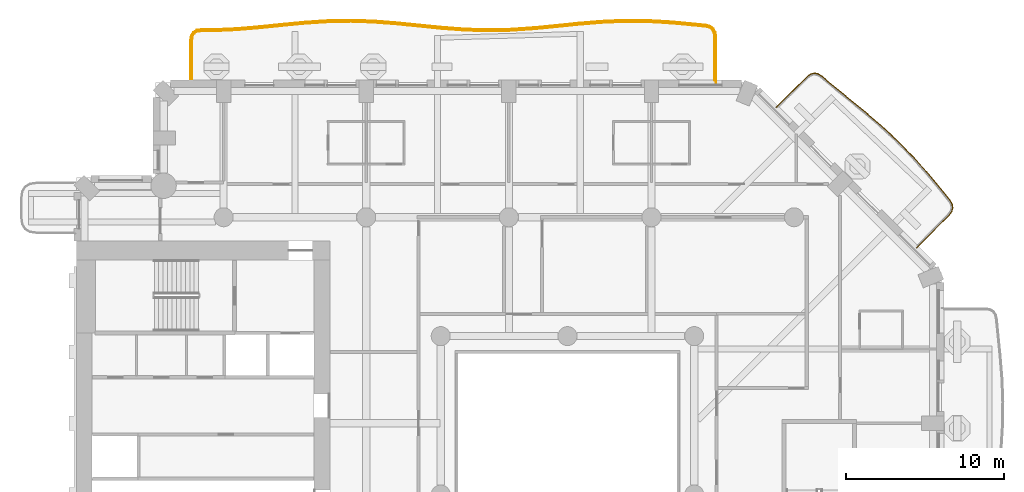
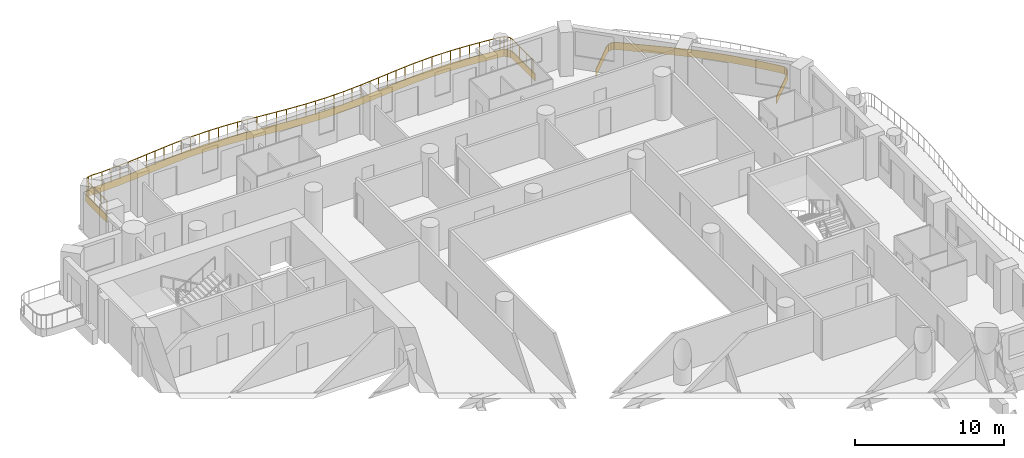
# One storey, part 17 of 19: 2 coverings, 1 railing.
"""IFC4 building model written with IfcOpenShell, lengths in metres."""

from ifc_helpers import new_model, si_unit, direction, frame, origin, origin_2d, place, context, subcontext, project, spatial, polyline, rectangle, outline, extrude, material, layer, layer_set, type_object, element, save


model = new_model("IFC4")

# Units and contexts
model_context = context("Model", 3, precision=1e-05, world=origin(), true_north=direction((0.0, 1.0)))
body_context = subcontext(model_context, "Body", "Model", "MODEL_VIEW")
ifc_project = project(units=[si_unit("LENGTHUNIT", "METRE"), si_unit("AREAUNIT", "SQUARE_METRE"), si_unit("VOLUMEUNIT", "CUBIC_METRE"), si_unit("PLANEANGLEUNIT", "RADIAN"), si_unit("MASSUNIT", "GRAM", prefix="KILO")], contexts=[model_context])

# Site, building, storey
site_placement = place(None, origin())
site = spatial("IfcSite", under=ifc_project, at=site_placement, CompositionType="ELEMENT")
building_placement = place(site_placement, origin())
building = spatial("IfcBuilding", under=site, at=building_placement, Name="Cypress Arch Tower", CompositionType="ELEMENT")
storey_placement = place(building_placement, frame((0.0, 0.0, 69.89990234375)))
storey = spatial("IfcBuildingStorey", under=building, at=storey_placement, Name="L11", CompositionType="ELEMENT", Elevation=69.89990234375)

# Coverings
ifc_material_1 = material(Name="White powder-coated aluminium fascia", Category="aluminium")
ifc_layer = layer(ifc_material_1, 0.050048828125)
ifc_layer_set = layer_set([ifc_layer], Name="Balcony fascia BF50")
covering_type = type_object("IfcCoveringType", Name="Balcony fascia BF50", PredefinedType="CLADDING", material=ifc_layer_set)
covering_1_placement = place(storey_placement, frame((0.0, 0.0, -0.599853515625)))
element("IfcCovering", 1, at=covering_1_placement, inside=storey, type_object=covering_type, Name="Balcony fascia L11-A07", PredefinedType="CLADDING", context=body_context, shape_type="SweptSolid", body=[
    extrude(outline(polyline([(16.0888671875, 26.377685546875), (16.322509765625, 26.5537109375), (16.5703125, 26.621337890625), (16.82275390625, 26.5732421875), (17.069580078125, 26.416259765625), (17.653076171875, 25.91796875), (18.7314453125, 25.03759765625), (19.81005859375, 24.155517578125), (20.86572265625, 23.24951171875), (21.881591796875, 22.302490234375), (22.848876953125, 21.306884765625), (23.7705078125, 20.266357421875), (24.66015625, 19.19482421875), (25.1455078125, 18.59716796875), (25.29736328125, 18.345458984375), (25.34130859375, 18.08984375), (25.271240234375, 17.840087890625), (25.09423828125, 17.60546875), (23.045166015625, 15.556396484375), (23.009765625, 15.591796875), (25.056396484375, 17.638427734375), (25.2255859375, 17.86279296875), (25.2900390625, 18.092529296875), (25.249755859375, 18.32763671875), (25.1044921875, 18.568359375), (24.62158203125, 19.1630859375), (23.732666015625, 20.233642578125), (22.81201171875, 21.272705078125), (21.846435546875, 22.266845703125), (20.83251953125, 23.212158203125), (19.77783203125, 24.1171875), (18.699951171875, 24.998779296875), (17.62109375, 25.87939453125), (17.039794921875, 26.3759765625), (16.803955078125, 26.52587890625), (16.572509765625, 26.570068359375), (16.344970703125, 26.5078125), (16.121826171875, 26.33984375), (14.191650390625, 24.40966796875), (14.15625, 24.445068359375), (16.0888671875, 26.377685546875)])), origin(), (0.0, 0.0, 1.0), 0.599853515625),
])
covering_2_placement = place(storey_placement, frame((0.0, 0.0, -0.599853515625)))
element("IfcCovering", 2, at=covering_2_placement, inside=storey, type_object=covering_type, Name="Balcony fascia L11-A08", PredefinedType="CLADDING", context=body_context, shape_type="SweptSolid", body=[
    extrude(outline(polyline([(-22.800048828125, 28.6689453125), (-22.757568359375, 28.9658203125), (-22.62451171875, 29.18701171875), (-22.402587890625, 29.319091796875), (-22.105712890625, 29.360107421875), (-21.31201171875, 29.3564453125), (-19.875, 29.422119140625), (-18.437255859375, 29.5439453125), (-16.99853515625, 29.692138671875), (-15.558349609375, 29.830078125), (-14.1171875, 29.92333984375), (-12.67578125, 29.94921875), (-11.234130859375, 29.90087890625), (-9.79345703125, 29.79052734375), (-8.353759765625, 29.6455078125), (-6.915283203125, 29.501708984375), (-5.477783203125, 29.39453125), (-4.041015625, 29.350341796875), (-2.604248046875, 29.380126953125), (-1.167236328125, 29.4765625), (0.271240234375, 29.615966796875), (1.710693359375, 29.763671875), (3.151123046875, 29.88330078125), (4.592529296875, 29.9453125), (6.0341796875, 29.934326171875), (7.475341796875, 29.852783203125), (8.915771484375, 29.72119140625), (9.7109375, 29.638916015625), (10.0068359375, 29.565673828125), (10.22607421875, 29.41064453125), (10.357666015625, 29.176513671875), (10.39990234375, 28.874755859375), (10.39990234375, 26.0009765625), (10.35009765625, 26.0009765625), (10.35009765625, 28.871337890625), (10.3095703125, 29.160400390625), (10.18798828125, 29.37646484375), (9.98583984375, 29.519287109375), (9.702392578125, 29.58935546875), (8.910888671875, 29.67138671875), (7.4716796875, 29.802978515625), (6.03271484375, 29.88427734375), (4.593505859375, 29.895263671875), (3.154296875, 29.83349609375), (1.71533203125, 29.7138671875), (0.276123046875, 29.566162109375), (-1.1630859375, 29.4267578125), (-2.602294921875, 29.330322265625), (-4.041259765625, 29.30029296875), (-5.48046875, 29.344482421875), (-6.919677734375, 29.45166015625), (-8.358642578125, 29.595703125), (-9.7978515625, 29.74072265625), (-11.237060546875, 29.850830078125), (-12.676025390625, 29.899169921875), (-14.115234375, 29.873291015625), (-15.554443359375, 29.7802734375), (-16.993408203125, 29.642333984375), (-18.4326171875, 29.494140625), (-19.871826171875, 29.3720703125), (-21.310791015625, 29.306396484375), (-22.102294921875, 29.31005859375), (-22.3857421875, 29.27099609375), (-22.588134765625, 29.150390625), (-22.70947265625, 28.94873046875), (-22.75, 28.66552734375), (-22.75, 26.0009765625), (-22.800048828125, 26.0009765625), (-22.800048828125, 28.6689453125)])), origin(), (0.0, 0.0, 1.0), 0.599853515625),
])

# Railing
ifc_material_2 = material(Name="Powder-coated steel posts and rods, 100 mm clear between rods", Category="steel")
railing_type = type_object("IfcRailingType", Name="Balcony guard GR1100", PredefinedType="GUARDRAIL", material=ifc_material_2)
railing_placement = place(storey_placement, frame((-22.699951171875, 26.14990234375, 0.0)))
element("IfcRailing", 3, at=railing_placement, inside=storey, type_object=railing_type, Name="Balcony guard L11-A08", PredefinedType="GUARDRAIL", context=body_context, shape_type="SweptSolid", body=[
    extrude(rectangle(XDim=0.050048828125, YDim=0.050048828125, at=origin_2d()), frame((0.0, 0.0, 1.0751953125), z_axis=(0.0, 1.0, 0.0), x_axis=(-1.0, 0.0, 0.0)), (0.0, 0.0, 1.0), 2.511962890625),
    extrude(rectangle(XDim=0.050048828125, YDim=0.050048828125, at=origin_2d()), frame((0.0, 2.511962890625, 1.0751953125), z_axis=(0.141546776296, 0.989931568403, 0.0), x_axis=(-0.989931568403, 0.141546776296, 0.0)), (0.0, 0.0, 1.0), 0.2724609375),
    extrude(rectangle(XDim=0.050048828125, YDim=0.050048828125, at=origin_2d()), frame((0.03857421875, 2.78173828125, 1.0751953125), z_axis=(0.515170521411, 0.857087704887, 0.0), x_axis=(-0.857087704887, 0.515170521411, 0.0)), (0.0, 0.0, 1.0), 0.212890625),
    extrude(rectangle(XDim=0.050048828125, YDim=0.050048828125, at=origin_2d()), frame((0.148193359375, 2.964111328125, 1.0751953125), z_axis=(0.859712995, 0.510777413585, 0.0), x_axis=(-0.510777413585, 0.859712995, 0.0)), (0.0, 0.0, 1.0), 0.212646484375),
    extrude(rectangle(XDim=0.050048828125, YDim=0.050048828125, at=origin_2d()), frame((0.3310546875, 3.07275390625, 1.0751953125), z_axis=(0.990549866766, 0.137153058475, 0.0), x_axis=(-0.137153058475, 0.990549866766, 0.0)), (0.0, 0.0, 1.0), 0.2724609375),
    extrude(rectangle(XDim=0.050048828125, YDim=0.050048828125, at=origin_2d()), frame((0.600830078125, 3.110107421875, 1.0751953125), z_axis=(0.999989236981, -0.004639603636, 0.0), x_axis=(0.004639603636, 0.999989236981, 0.0)), (0.0, 0.0, 1.0), 0.789306640625),
    extrude(rectangle(XDim=0.050048828125, YDim=0.050048828125, at=origin_2d()), frame((1.39013671875, 3.1064453125, 1.0751953125), z_axis=(0.998955942835, 0.0456839608, 0.0), x_axis=(-0.0456839608, 0.998955942835, 0.0)), (0.0, 0.0, 1.0), 1.44287109375),
    extrude(rectangle(XDim=0.050048828125, YDim=0.050048828125, at=origin_2d()), frame((2.83154296875, 3.17236328125, 1.0751953125), z_axis=(0.996428304897, 0.084443076686, 0.0), x_axis=(-0.084443076686, 0.996428304897, 0.0)), (0.0, 0.0, 1.0), 1.445556640625),
    extrude(rectangle(XDim=0.050048828125, YDim=0.050048828125, at=origin_2d()), frame((4.27197265625, 3.29443359375, 1.0751953125), z_axis=(0.994725087, 0.102576806801, 0.0), x_axis=(-0.102576806801, 0.994725087, 0.0)), (0.0, 0.0, 1.0), 1.447021484375),
    extrude(rectangle(XDim=0.050048828125, YDim=0.050048828125, at=origin_2d()), frame((5.71142578125, 3.44287109375, 1.0751953125), z_axis=(0.99546428092, 0.095136036353, 0.0), x_axis=(-0.095136036353, 0.99546428092, 0.0)), (0.0, 0.0, 1.0), 1.44482421875),
    extrude(rectangle(XDim=0.050048828125, YDim=0.050048828125, at=origin_2d()), frame((7.149658203125, 3.580322265625, 1.0751953125), z_axis=(0.997901350874, 0.064752559204, 0.0), x_axis=(-0.064752559204, 0.997901350874, 0.0)), (0.0, 0.0, 1.0), 1.440185546875),
    extrude(rectangle(XDim=0.050048828125, YDim=0.050048828125, at=origin_2d()), frame((8.5869140625, 3.673583984375, 1.0751953125), z_axis=(0.999840815944, 0.017842162759, 0.0), x_axis=(-0.017842162759, 0.999840815944, 0.0)), (0.0, 0.0, 1.0), 1.436767578125),
    extrude(rectangle(XDim=0.050048828125, YDim=0.050048828125, at=origin_2d()), frame((10.0234375, 3.69921875, 1.0751953125), z_axis=(0.999440184761, -0.033456196499, 0.0), x_axis=(0.033456196499, 0.999440184761, 0.0)), (0.0, 0.0, 1.0), 1.4375),
    extrude(rectangle(XDim=0.050048828125, YDim=0.050048828125, at=origin_2d()), frame((11.460205078125, 3.651123046875, 1.0751953125), z_axis=(0.997079336019, -0.076372754848, 0.0), x_axis=(0.076372754848, 0.997079336019, 0.0)), (0.0, 0.0, 1.0), 1.441650390625),
    extrude(rectangle(XDim=0.050048828125, YDim=0.050048828125, at=origin_2d()), frame((12.897705078125, 3.541015625, 1.0751953125), z_axis=(0.994956613578, -0.100306216644, 0.0), x_axis=(0.100306216644, 0.994956613578, 0.0)), (0.0, 0.0, 1.0), 1.44580078125),
    extrude(rectangle(XDim=0.050048828125, YDim=0.050048828125, at=origin_2d()), frame((14.336181640625, 3.39599609375, 1.0751953125), z_axis=(0.995033848917, -0.09953712629, 0.0), x_axis=(0.09953712629, 0.995033848917, 0.0)), (0.0, 0.0, 1.0), 1.447021484375),
    extrude(rectangle(XDim=0.050048828125, YDim=0.050048828125, at=origin_2d()), frame((15.776123046875, 3.251953125, 1.0751953125), z_axis=(0.997244187456, -0.074189154091, 0.0), x_axis=(0.074189154091, 0.997244187456, 0.0)), (0.0, 0.0, 1.0), 1.444580078125),
    extrude(rectangle(XDim=0.050048828125, YDim=0.050048828125, at=origin_2d()), frame((17.216796875, 3.144775390625, 1.0751953125), z_axis=(0.999525360704, -0.030806708831, 0.0), x_axis=(0.030806708831, 0.999525360704, 0.0)), (0.0, 0.0, 1.0), 1.4423828125),
    extrude(rectangle(XDim=0.050048828125, YDim=0.050048828125, at=origin_2d()), frame((18.658447265625, 3.100341796875, 1.0751953125), z_axis=(0.999783056728, 0.020828813682, 0.0), x_axis=(-0.020828813682, 0.999783056728, 0.0)), (0.0, 0.0, 1.0), 1.441650390625),
    extrude(rectangle(XDim=0.050048828125, YDim=0.050048828125, at=origin_2d()), frame((20.099853515625, 3.13037109375, 1.0751953125), z_axis=(0.997757399205, 0.06693408946, 0.0), x_axis=(-0.06693408946, 0.997757399205, 0.0)), (0.0, 0.0, 1.0), 1.4443359375),
    extrude(rectangle(XDim=0.050048828125, YDim=0.050048828125, at=origin_2d()), frame((21.541015625, 3.22705078125, 1.0751953125), z_axis=(0.995346359273, 0.096361948312, 0.0), x_axis=(-0.096361948312, 0.995346359273, 0.0)), (0.0, 0.0, 1.0), 1.44677734375),
    extrude(rectangle(XDim=0.050048828125, YDim=0.050048828125, at=origin_2d()), frame((22.98095703125, 3.366455078125, 1.0751953125), z_axis=(0.99477132956, 0.102127380686, 0.0), x_axis=(-0.102127380686, 0.99477132956, 0.0)), (0.0, 0.0, 1.0), 1.4462890625),
    extrude(rectangle(XDim=0.050048828125, YDim=0.050048828125, at=origin_2d()), frame((24.419677734375, 3.51416015625, 1.0751953125), z_axis=(0.996570223398, 0.082751373619, 0.0), x_axis=(-0.082751373619, 0.996570223398, 0.0)), (0.0, 0.0, 1.0), 1.442626953125),
    extrude(rectangle(XDim=0.050048828125, YDim=0.050048828125, at=origin_2d()), frame((25.857421875, 3.633544921875, 1.0751953125), z_axis=(0.999077180792, 0.042950981604, 0.0), x_axis=(-0.042950981604, 0.999077180792, 0.0)), (0.0, 0.0, 1.0), 1.43798828125),
    extrude(rectangle(XDim=0.050048828125, YDim=0.050048828125, at=origin_2d()), frame((27.294189453125, 3.6953125, 1.0751953125), z_axis=(0.999970766349, -0.007646335512, 0.0), x_axis=(0.007646335512, 0.999970766349, 0.0)), (0.0, 0.0, 1.0), 1.436767578125),
    extrude(rectangle(XDim=0.050048828125, YDim=0.050048828125, at=origin_2d()), frame((28.73095703125, 3.684326171875, 1.0751953125), z_axis=(0.998413022116, -0.056315515349, 0.0), x_axis=(0.056315515349, 0.998413022116, 0.0)), (0.0, 0.0, 1.0), 1.439208984375),
    extrude(rectangle(XDim=0.050048828125, YDim=0.050048828125, at=origin_2d()), frame((30.16796875, 3.603271484375, 1.0751953125), z_axis=(0.995854310795, -0.090962583906, 0.0), x_axis=(0.090962583906, 0.995854310795, 0.0)), (0.0, 0.0, 1.0), 1.444091796875),
    extrude(rectangle(XDim=0.050048828125, YDim=0.050048828125, at=origin_2d()), frame((31.60595703125, 3.471923828125, 1.0751953125), z_axis=(0.994654742095, -0.103256689991, 0.0), x_axis=(0.103256689991, 0.994654742095, 0.0)), (0.0, 0.0, 1.0), 0.7919921875),
    extrude(rectangle(XDim=0.050048828125, YDim=0.050048828125, at=origin_2d()), frame((32.393798828125, 3.39013671875, 1.0751953125), z_axis=(0.970808221233, -0.239857035724, 0.0), x_axis=(0.239857035724, 0.970808221233, 0.0)), (0.0, 0.0, 1.0), 0.27880859375),
    extrude(rectangle(XDim=0.050048828125, YDim=0.050048828125, at=origin_2d()), frame((32.66455078125, 3.3232421875, 1.0751953125), z_axis=(0.816699744234, -0.577062845597, 0.0), x_axis=(0.577062845597, 0.816699744234, 0.0)), (0.0, 0.0, 1.0), 0.227294921875),
    extrude(rectangle(XDim=0.050048828125, YDim=0.050048828125, at=origin_2d()), frame((32.85009765625, 3.192138671875, 1.0751953125), z_axis=(0.489290874176, -0.872120657047, 0.0), x_axis=(0.872120657047, 0.489290874176, 0.0)), (0.0, 0.0, 1.0), 0.22705078125),
    extrude(rectangle(XDim=0.050048828125, YDim=0.050048828125, at=origin_2d()), frame((32.961181640625, 2.994140625, 1.0751953125), z_axis=(0.139093984413, -0.990279184624, 0.0), x_axis=(0.990279184624, 0.139093984413, 0.0)), (0.0, 0.0, 1.0), 0.279052734375),
    extrude(rectangle(XDim=0.050048828125, YDim=0.050048828125, at=origin_2d()), frame((33.0, 2.7177734375, 1.0751953125), z_axis=(0.0, -1.0, 0.0), x_axis=(1.0, 0.0, 0.0)), (0.0, 0.0, 1.0), 2.7177734375),
    extrude(rectangle(XDim=0.0400390625, YDim=0.0400390625, at=origin_2d()), origin(), (0.0, 0.0, 1.0), 1.050048828125),
    extrude(rectangle(XDim=0.0400390625, YDim=0.0400390625, at=origin_2d()), frame((0.0, 0.83740234375, 0.0)), (0.0, 0.0, 1.0), 1.050048828125),
    extrude(rectangle(XDim=0.0400390625, YDim=0.0400390625, at=origin_2d()), frame((0.0, 1.674560546875, 0.0)), (0.0, 0.0, 1.0), 1.050048828125),
    extrude(rectangle(XDim=0.0400390625, YDim=0.0400390625, at=origin_2d()), frame((0.0, 2.511962890625, 0.0)), (0.0, 0.0, 1.0), 1.050048828125),
    extrude(rectangle(XDim=0.0400390625, YDim=0.0400390625, at=origin_2d()), frame((0.03857421875, 2.78173828125, 0.0)), (0.0, 0.0, 1.0), 1.050048828125),
    extrude(rectangle(XDim=0.0400390625, YDim=0.0400390625, at=origin_2d()), frame((0.148193359375, 2.964111328125, 0.0)), (0.0, 0.0, 1.0), 1.050048828125),
    extrude(rectangle(XDim=0.0400390625, YDim=0.0400390625, at=origin_2d()), frame((0.3310546875, 3.07275390625, 0.0)), (0.0, 0.0, 1.0), 1.050048828125),
    extrude(rectangle(XDim=0.0400390625, YDim=0.0400390625, at=origin_2d()), frame((0.600830078125, 3.110107421875, 0.0)), (0.0, 0.0, 1.0), 1.050048828125),
    extrude(rectangle(XDim=0.0400390625, YDim=0.0400390625, at=origin_2d()), frame((1.39013671875, 3.1064453125, 0.0)), (0.0, 0.0, 1.0), 1.050048828125),
    extrude(rectangle(XDim=0.0400390625, YDim=0.0400390625, at=origin_2d()), frame((2.11083984375, 3.139404296875, 0.0)), (0.0, 0.0, 1.0), 1.050048828125),
    extrude(rectangle(XDim=0.0400390625, YDim=0.0400390625, at=origin_2d()), frame((2.83154296875, 3.17236328125, 0.0)), (0.0, 0.0, 1.0), 1.050048828125),
    extrude(rectangle(XDim=0.0400390625, YDim=0.0400390625, at=origin_2d()), frame((3.5517578125, 3.2333984375, 0.0)), (0.0, 0.0, 1.0), 1.050048828125),
    extrude(rectangle(XDim=0.0400390625, YDim=0.0400390625, at=origin_2d()), frame((4.27197265625, 3.29443359375, 0.0)), (0.0, 0.0, 1.0), 1.050048828125),
    extrude(rectangle(XDim=0.0400390625, YDim=0.0400390625, at=origin_2d()), frame((4.99169921875, 3.36865234375, 0.0)), (0.0, 0.0, 1.0), 1.050048828125),
    extrude(rectangle(XDim=0.0400390625, YDim=0.0400390625, at=origin_2d()), frame((5.71142578125, 3.44287109375, 0.0)), (0.0, 0.0, 1.0), 1.050048828125),
    extrude(rectangle(XDim=0.0400390625, YDim=0.0400390625, at=origin_2d()), frame((6.4306640625, 3.51171875, 0.0)), (0.0, 0.0, 1.0), 1.050048828125),
    extrude(rectangle(XDim=0.0400390625, YDim=0.0400390625, at=origin_2d()), frame((7.149658203125, 3.580322265625, 0.0)), (0.0, 0.0, 1.0), 1.050048828125),
    extrude(rectangle(XDim=0.0400390625, YDim=0.0400390625, at=origin_2d()), frame((7.8681640625, 3.626953125, 0.0)), (0.0, 0.0, 1.0), 1.050048828125),
    extrude(rectangle(XDim=0.0400390625, YDim=0.0400390625, at=origin_2d()), frame((8.5869140625, 3.673583984375, 0.0)), (0.0, 0.0, 1.0), 1.050048828125),
    extrude(rectangle(XDim=0.0400390625, YDim=0.0400390625, at=origin_2d()), frame((9.30517578125, 3.6865234375, 0.0)), (0.0, 0.0, 1.0), 1.050048828125),
    extrude(rectangle(XDim=0.0400390625, YDim=0.0400390625, at=origin_2d()), frame((10.0234375, 3.69921875, 0.0)), (0.0, 0.0, 1.0), 1.050048828125),
    extrude(rectangle(XDim=0.0400390625, YDim=0.0400390625, at=origin_2d()), frame((10.74169921875, 3.67529296875, 0.0)), (0.0, 0.0, 1.0), 1.050048828125),
    extrude(rectangle(XDim=0.0400390625, YDim=0.0400390625, at=origin_2d()), frame((11.460205078125, 3.651123046875, 0.0)), (0.0, 0.0, 1.0), 1.050048828125),
    extrude(rectangle(XDim=0.0400390625, YDim=0.0400390625, at=origin_2d()), frame((12.178955078125, 3.59619140625, 0.0)), (0.0, 0.0, 1.0), 1.050048828125),
    extrude(rectangle(XDim=0.0400390625, YDim=0.0400390625, at=origin_2d()), frame((12.897705078125, 3.541015625, 0.0)), (0.0, 0.0, 1.0), 1.050048828125),
    extrude(rectangle(XDim=0.0400390625, YDim=0.0400390625, at=origin_2d()), frame((13.616943359375, 3.468505859375, 0.0)), (0.0, 0.0, 1.0), 1.050048828125),
    extrude(rectangle(XDim=0.0400390625, YDim=0.0400390625, at=origin_2d()), frame((14.336181640625, 3.39599609375, 0.0)), (0.0, 0.0, 1.0), 1.050048828125),
    extrude(rectangle(XDim=0.0400390625, YDim=0.0400390625, at=origin_2d()), frame((15.05615234375, 3.323974609375, 0.0)), (0.0, 0.0, 1.0), 1.050048828125),
    extrude(rectangle(XDim=0.0400390625, YDim=0.0400390625, at=origin_2d()), frame((15.776123046875, 3.251953125, 0.0)), (0.0, 0.0, 1.0), 1.050048828125),
    extrude(rectangle(XDim=0.0400390625, YDim=0.0400390625, at=origin_2d()), frame((16.49658203125, 3.1982421875, 0.0)), (0.0, 0.0, 1.0), 1.050048828125),
    extrude(rectangle(XDim=0.0400390625, YDim=0.0400390625, at=origin_2d()), frame((17.216796875, 3.144775390625, 0.0)), (0.0, 0.0, 1.0), 1.050048828125),
    extrude(rectangle(XDim=0.0400390625, YDim=0.0400390625, at=origin_2d()), frame((17.9375, 3.12255859375, 0.0)), (0.0, 0.0, 1.0), 1.050048828125),
    extrude(rectangle(XDim=0.0400390625, YDim=0.0400390625, at=origin_2d()), frame((18.658447265625, 3.100341796875, 0.0)), (0.0, 0.0, 1.0), 1.050048828125),
    extrude(rectangle(XDim=0.0400390625, YDim=0.0400390625, at=origin_2d()), frame((19.379150390625, 3.115234375, 0.0)), (0.0, 0.0, 1.0), 1.050048828125),
    extrude(rectangle(XDim=0.0400390625, YDim=0.0400390625, at=origin_2d()), frame((20.099853515625, 3.13037109375, 0.0)), (0.0, 0.0, 1.0), 1.050048828125),
    extrude(rectangle(XDim=0.0400390625, YDim=0.0400390625, at=origin_2d()), frame((20.8203125, 3.1787109375, 0.0)), (0.0, 0.0, 1.0), 1.050048828125),
    extrude(rectangle(XDim=0.0400390625, YDim=0.0400390625, at=origin_2d()), frame((21.541015625, 3.22705078125, 0.0)), (0.0, 0.0, 1.0), 1.050048828125),
    extrude(rectangle(XDim=0.0400390625, YDim=0.0400390625, at=origin_2d()), frame((22.260986328125, 3.296875, 0.0)), (0.0, 0.0, 1.0), 1.050048828125),
    extrude(rectangle(XDim=0.0400390625, YDim=0.0400390625, at=origin_2d()), frame((22.98095703125, 3.366455078125, 0.0)), (0.0, 0.0, 1.0), 1.050048828125),
    extrude(rectangle(XDim=0.0400390625, YDim=0.0400390625, at=origin_2d()), frame((23.7001953125, 3.4404296875, 0.0)), (0.0, 0.0, 1.0), 1.050048828125),
    extrude(rectangle(XDim=0.0400390625, YDim=0.0400390625, at=origin_2d()), frame((24.419677734375, 3.51416015625, 0.0)), (0.0, 0.0, 1.0), 1.050048828125),
    extrude(rectangle(XDim=0.0400390625, YDim=0.0400390625, at=origin_2d()), frame((25.138671875, 3.57373046875, 0.0)), (0.0, 0.0, 1.0), 1.050048828125),
    extrude(rectangle(XDim=0.0400390625, YDim=0.0400390625, at=origin_2d()), frame((25.857421875, 3.633544921875, 0.0)), (0.0, 0.0, 1.0), 1.050048828125),
    extrude(rectangle(XDim=0.0400390625, YDim=0.0400390625, at=origin_2d()), frame((26.57568359375, 3.66455078125, 0.0)), (0.0, 0.0, 1.0), 1.050048828125),
    extrude(rectangle(XDim=0.0400390625, YDim=0.0400390625, at=origin_2d()), frame((27.294189453125, 3.6953125, 0.0)), (0.0, 0.0, 1.0), 1.050048828125),
    extrude(rectangle(XDim=0.0400390625, YDim=0.0400390625, at=origin_2d()), frame((28.0126953125, 3.68994140625, 0.0)), (0.0, 0.0, 1.0), 1.050048828125),
    extrude(rectangle(XDim=0.0400390625, YDim=0.0400390625, at=origin_2d()), frame((28.73095703125, 3.684326171875, 0.0)), (0.0, 0.0, 1.0), 1.050048828125),
    extrude(rectangle(XDim=0.0400390625, YDim=0.0400390625, at=origin_2d()), frame((29.449462890625, 3.643798828125, 0.0)), (0.0, 0.0, 1.0), 1.050048828125),
    extrude(rectangle(XDim=0.0400390625, YDim=0.0400390625, at=origin_2d()), frame((30.16796875, 3.603271484375, 0.0)), (0.0, 0.0, 1.0), 1.050048828125),
    extrude(rectangle(XDim=0.0400390625, YDim=0.0400390625, at=origin_2d()), frame((30.886962890625, 3.53759765625, 0.0)), (0.0, 0.0, 1.0), 1.050048828125),
    extrude(rectangle(XDim=0.0400390625, YDim=0.0400390625, at=origin_2d()), frame((31.60595703125, 3.471923828125, 0.0)), (0.0, 0.0, 1.0), 1.050048828125),
    extrude(rectangle(XDim=0.0400390625, YDim=0.0400390625, at=origin_2d()), frame((32.393798828125, 3.39013671875, 0.0)), (0.0, 0.0, 1.0), 1.050048828125),
    extrude(rectangle(XDim=0.0400390625, YDim=0.0400390625, at=origin_2d()), frame((32.66455078125, 3.3232421875, 0.0)), (0.0, 0.0, 1.0), 1.050048828125),
    extrude(rectangle(XDim=0.0400390625, YDim=0.0400390625, at=origin_2d()), frame((32.85009765625, 3.192138671875, 0.0)), (0.0, 0.0, 1.0), 1.050048828125),
    extrude(rectangle(XDim=0.0400390625, YDim=0.0400390625, at=origin_2d()), frame((32.961181640625, 2.994140625, 0.0)), (0.0, 0.0, 1.0), 1.050048828125),
    extrude(rectangle(XDim=0.0400390625, YDim=0.0400390625, at=origin_2d()), frame((33.0, 2.7177734375, 0.0)), (0.0, 0.0, 1.0), 1.050048828125),
    extrude(rectangle(XDim=0.0400390625, YDim=0.0400390625, at=origin_2d()), frame((33.0, 1.811767578125, 0.0)), (0.0, 0.0, 1.0), 1.050048828125),
    extrude(rectangle(XDim=0.0400390625, YDim=0.0400390625, at=origin_2d()), frame((33.0, 0.906005859375, 0.0)), (0.0, 0.0, 1.0), 1.050048828125),
    extrude(rectangle(XDim=0.0400390625, YDim=0.0400390625, at=origin_2d()), frame((33.0, 0.0, 0.0)), (0.0, 0.0, 1.0), 1.050048828125),
])

save(model, "model.ifc")
